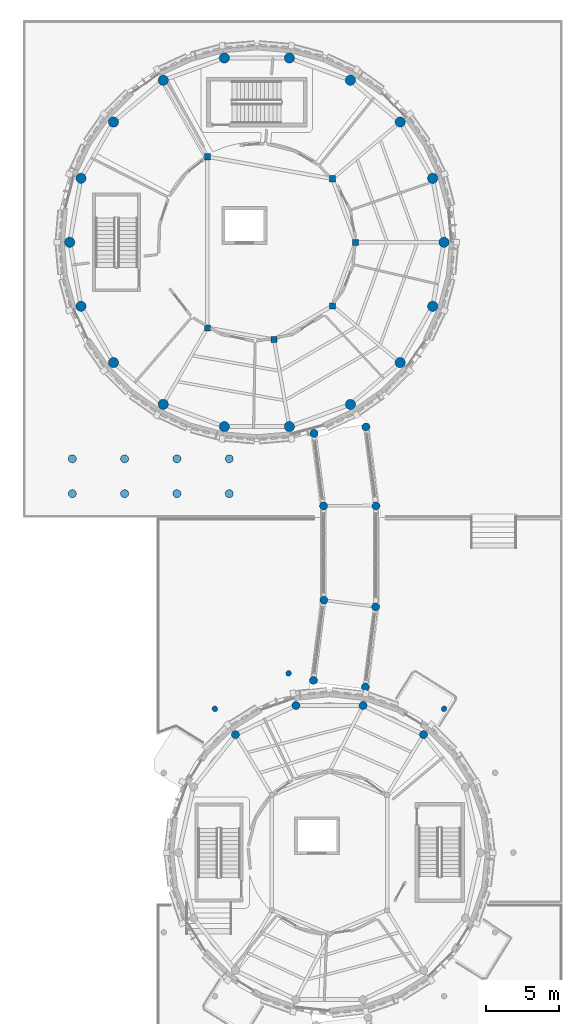
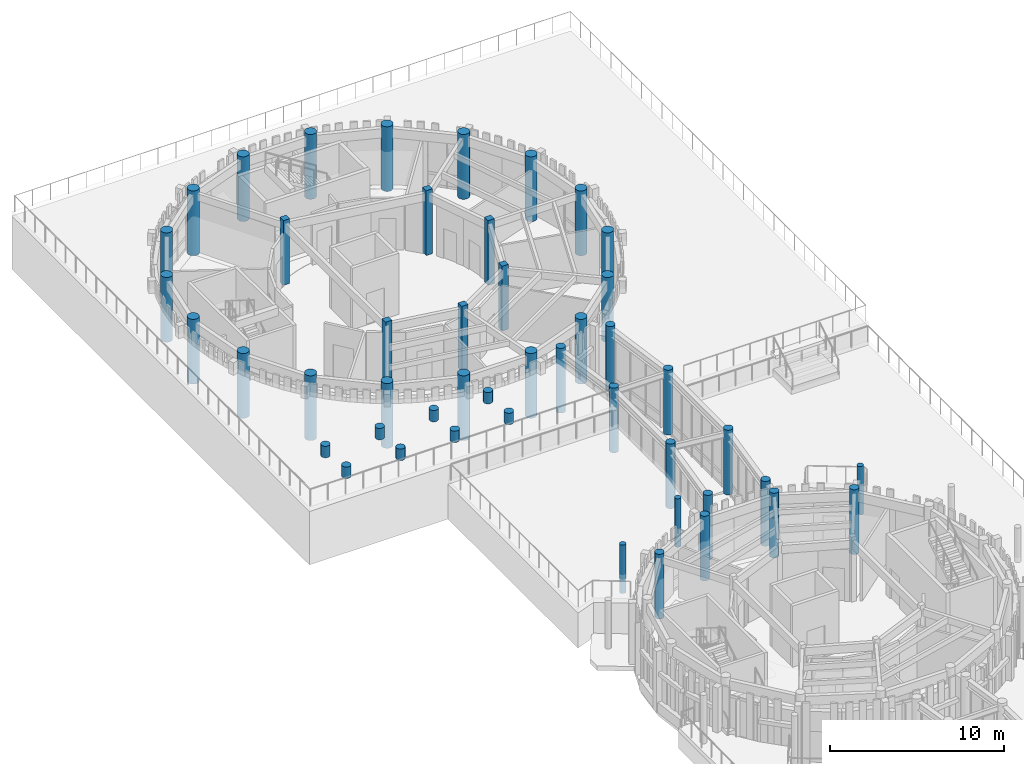
# One storey, part 3 of 94: 47 columns.
"""IFC4 building model written with IfcOpenShell, lengths in metres."""

from ifc_helpers import new_model, si_unit, direction, frame, origin, origin_2d, place, context, subcontext, project, spatial, rectangle, circle, extrude, material, material_profile, profile_set, type_object, element, save


model = new_model("IFC4")

# Units and contexts
model_context = context("Model", 3, precision=1e-05, world=origin(), true_north=direction((0.0, 1.0)))
body_context = subcontext(model_context, "Body", "Model", "MODEL_VIEW")
ifc_project = project(units=[si_unit("LENGTHUNIT", "METRE"), si_unit("AREAUNIT", "SQUARE_METRE"), si_unit("VOLUMEUNIT", "CUBIC_METRE"), si_unit("PLANEANGLEUNIT", "RADIAN"), si_unit("MASSUNIT", "GRAM", prefix="KILO")], contexts=[model_context])

# Site, building, storey
site_placement = place(None, origin())
site = spatial("IfcSite", under=ifc_project, at=site_placement, CompositionType="ELEMENT")
building_placement = place(site_placement, origin())
building = spatial("IfcBuilding", under=site, at=building_placement, Name="Aldenvaro Health Centre", CompositionType="ELEMENT")
storey_placement = place(building_placement, origin())
storey = spatial("IfcBuildingStorey", under=building, at=storey_placement, Name="L00", CompositionType="ELEMENT", Elevation=0.0)

# Columns
ifc_material_1 = material(Name="Glulam GL28h", Category="wood")
ifc_material_profile_1 = material_profile(ifc_material_1, rectangle(XDim=0.419921875, YDim=0.419921875, at=origin_2d()), Name="GL 420x420", Category="wood")
ifc_profile_set_1 = profile_set([ifc_material_profile_1], Name="Glulam GL28h")
column_type_1 = type_object("IfcColumnType", Name="COL-GL-420", PredefinedType="COLUMN", material=ifc_profile_set_1)
for number, where, z_axis, x_axis, name in (
    (1, (25.300048828125, 99.5, 0.0), (0.0, 0.0, 1.0), (1.0, 0.0, 0.0), "D4 L00 column IN-01"),
    (2, (23.708984375, 103.87109375, 0.0), (0.0, 0.0, 1.0), (1.0, 0.0, 0.0), "D4 L00 column IN-02"),
    (3, (15.10009765625, 105.388916015625, 0.0), (0.0, 0.0, 1.0), (1.0, 0.0, 0.0), "D4 L00 column IN-03"),
    (4, (15.10009765625, 93.611083984375, 0.0), (0.0, 0.0, 1.0), (1.0, 0.0, 0.0), "D4 L00 column IN-04"),
    (5, (19.680908203125, 92.802978515625, 0.0), (0.0, 0.0, 1.0), (1.0, 0.0, 0.0), "D4 L00 column IN-05"),
    (6, (23.708984375, 95.12890625, 0.0), (0.0, 0.0, 1.0), (1.0, 0.0, 0.0), "D4 L00 column IN-06"),
):
    element("IfcColumn", number, at=place(storey_placement, frame(where, z_axis=z_axis, x_axis=x_axis)), inside=storey, type_object=column_type_1, Name=name, PredefinedType="COLUMN", context=body_context, shape_type="SweptSolid", body=[
        extrude(rectangle(XDim=0.419921875, YDim=0.419921875, at=origin_2d()), origin(), (0.0, 0.0, 1.0), 4.550048828125),
    ])
ifc_material_profile_2 = material_profile(ifc_material_1, circle(Radius=0.18994140625, at=origin_2d()), Name="GL D380", Category="wood")
ifc_profile_set_2 = profile_set([ifc_material_profile_2], Name="Glulam GL28h")
column_type_2 = type_object("IfcColumnType", Name="COL-GL-D380", PredefinedType="PILASTER", material=ifc_profile_set_2)
for number, where, z_axis, x_axis, name in (
    (7, (31.386962890625, 67.389892578125, 1.14990234375), (0.0, 0.0, 1.0), (1.0, 0.0, 0.0), "Garden Pavilion Peristyle Lower Column 03"),
    (8, (20.68505859375, 69.8330078125, 1.14990234375), (0.0, 0.0, 1.0), (1.0, 0.0, 0.0), "Garden Pavilion Peristyle Lower Column 05"),
    (9, (15.613037109375, 67.389892578125, 1.14990234375), (0.0, 0.0, 1.0), (1.0, 0.0, 0.0), "Garden Pavilion Peristyle Lower Column 06"),
):
    element("IfcColumn", number, at=place(storey_placement, frame(where, z_axis=z_axis, x_axis=x_axis)), inside=storey, type_object=column_type_2, Name=name, PredefinedType="PILASTER", context=body_context, shape_type="SweptSolid", body=[
        extrude(circle(Radius=0.18994140625, at=origin_2d()), origin(), (0.0, 0.0, 1.0), 3.400146484375),
    ])
ifc_material_2 = material(Name="Concrete f'c 40 MPa", Category="concrete")
ifc_material_profile_3 = material_profile(ifc_material_2, circle(Radius=0.27490234375, at=origin_2d()), Name="RC D550", Category="concrete")
ifc_profile_set_3 = profile_set([ifc_material_profile_3], Name="Concrete f'c 40 MPa")
column_type_3 = type_object("IfcColumnType", Name="COL-RC-D550", PredefinedType="PILASTER", material=ifc_profile_set_3)
for number, where, z_axis, x_axis, name in (
    (10, (29.971923828125, 65.614990234375, 0.0), (0.0, 0.0, 1.0), (1.0, 0.0, 0.0), "D3 L00 column OUT-03"),
    (11, (25.81005859375, 67.6201171875, 0.0), (0.0, 0.0, 1.0), (1.0, 0.0, 0.0), "D3 L00 column OUT-04"),
    (12, (21.18994140625, 67.6201171875, 0.0), (0.0, 0.0, 1.0), (1.0, 0.0, 0.0), "D3 L00 column OUT-05"),
    (13, (17.028076171875, 65.614990234375, 0.0), (0.0, 0.0, 1.0), (1.0, 0.0, 0.0), "D3 L00 column OUT-06"),
    (14, (22.39599609375, 69.346923828125, 0.0), (0.0, 0.0, 1.0), (1.0, 0.0, 0.0), "West North Curved Garden Walkway Arc 1 L00 column 1.1"),
    (15, (25.966064453125, 68.886962890625, 0.0), (0.0, 0.0, 1.0), (1.0, 0.0, 0.0), "West North Curved Garden Walkway Arc 1 L00 column 1.2"),
    (16, (23.10791015625, 74.873046875, 0.0), (0.0, 0.0, 1.0), (1.0, 0.0, 0.0), "West North Curved Garden Walkway Arc 1 L00 column 2.1"),
    (17, (26.677978515625, 74.4130859375, 0.0), (0.0, 0.0, 1.0), (1.0, 0.0, 0.0), "West North Curved Garden Walkway Arc 1 L00 column 2.2"),
    (18, (23.093017578125, 81.35693359375, 0.0), (0.0, 0.0, 1.0), (1.0, 0.0, 0.0), "West North Curved Garden Walkway Arc 2 L00 column 2.1"),
    (19, (26.693115234375, 81.35693359375, 0.0), (0.0, 0.0, 1.0), (1.0, 0.0, 0.0), "West North Curved Garden Walkway Arc 2 L00 column 2.2"),
    (20, (22.43603515625, 86.342041015625, 0.0), (0.0, 0.0, 1.0), (1.0, 0.0, 0.0), "West North Curved Garden Walkway Arc 3 L00 column 2.1"),
    (21, (26.006103515625, 86.802001953125, 0.0), (0.0, 0.0, 1.0), (1.0, 0.0, 0.0), "West North Curved Garden Walkway Arc 3 L00 column 2.2"),
):
    element("IfcColumn", number, at=place(storey_placement, frame(where, z_axis=z_axis, x_axis=x_axis)), inside=storey, type_object=column_type_3, Name=name, PredefinedType="PILASTER", context=body_context, shape_type="SweptSolid", body=[
        extrude(circle(Radius=0.27490234375, at=origin_2d()), origin(), (0.0, 0.0, 1.0), 4.550048828125),
    ])
for number, where, z_axis, x_axis, name in (
    (22, (5.800048828125, 82.199951171875, 3.75), (0.0, 0.0, 1.0), (1.0, 0.0, 0.0), "Bastion Tetrastyle Portico N4 Plinth Column 1.1"),
    (23, (5.800048828125, 84.60009765625, 3.75), (0.0, 0.0, 1.0), (1.0, 0.0, 0.0), "Bastion Tetrastyle Portico N4 Plinth Column 1.2"),
    (24, (9.39990234375, 82.199951171875, 3.75), (0.0, 0.0, 1.0), (1.0, 0.0, 0.0), "Bastion Tetrastyle Portico N4 Plinth Column 2.1"),
    (25, (9.39990234375, 84.60009765625, 3.75), (0.0, 0.0, 1.0), (1.0, 0.0, 0.0), "Bastion Tetrastyle Portico N4 Plinth Column 2.2"),
    (26, (13.0, 82.199951171875, 3.75), (0.0, 0.0, 1.0), (1.0, 0.0, 0.0), "Bastion Tetrastyle Portico N4 Plinth Column 3.1"),
    (27, (13.0, 84.60009765625, 3.75), (0.0, 0.0, 1.0), (1.0, 0.0, 0.0), "Bastion Tetrastyle Portico N4 Plinth Column 3.2"),
    (28, (16.60009765625, 82.199951171875, 3.75), (0.0, 0.0, 1.0), (1.0, 0.0, 0.0), "Bastion Tetrastyle Portico N4 Plinth Column 4.1"),
    (29, (16.60009765625, 84.60009765625, 3.75), (0.0, 0.0, 1.0), (1.0, 0.0, 0.0), "Bastion Tetrastyle Portico N4 Plinth Column 4.2"),
):
    element("IfcColumn", number, at=place(storey_placement, frame(where, z_axis=z_axis, x_axis=x_axis)), inside=storey, type_object=column_type_3, Name=name, PredefinedType="PILASTER", context=body_context, shape_type="SweptSolid", body=[
        extrude(circle(Radius=0.27490234375, at=origin_2d()), origin(), (0.0, 0.0, 1.0), 0.800048828125),
    ])
ifc_material_profile_4 = material_profile(ifc_material_2, circle(Radius=0.35009765625, at=origin_2d()), Name="RC D700", Category="concrete")
ifc_profile_set_4 = profile_set([ifc_material_profile_4], Name="Concrete f'c 40 MPa")
column_type_4 = type_object("IfcColumnType", Name="COL-RC-D700", PredefinedType="COLUMN", material=ifc_profile_set_4)
for number, where, z_axis, x_axis, name in (
    (30, (31.3798828125, 99.5, 0.0), (0.0, 0.0, 1.0), (1.0, 0.0, 0.0), "D4 L00 column OUT-01"),
    (31, (30.60302734375, 103.905029296875, 0.0), (0.0, 0.0, 1.0), (1.0, 0.0, 0.0), "D4 L00 column OUT-02"),
    (32, (28.366943359375, 107.779052734375, 0.0), (0.0, 0.0, 1.0), (1.0, 0.0, 0.0), "D4 L00 column OUT-03"),
    (33, (24.93994140625, 110.654052734375, 0.0), (0.0, 0.0, 1.0), (1.0, 0.0, 0.0), "D4 L00 column OUT-04"),
    (34, (20.737060546875, 112.18408203125, 0.0), (0.0, 0.0, 1.0), (1.0, 0.0, 0.0), "D4 L00 column OUT-05"),
    (35, (16.262939453125, 112.18408203125, 0.0), (0.0, 0.0, 1.0), (1.0, 0.0, 0.0), "D4 L00 column OUT-06"),
    (36, (12.06005859375, 110.654052734375, 0.0), (0.0, 0.0, 1.0), (1.0, 0.0, 0.0), "D4 L00 column OUT-07"),
    (37, (8.633056640625, 107.779052734375, 0.0), (0.0, 0.0, 1.0), (1.0, 0.0, 0.0), "D4 L00 column OUT-08"),
    (38, (6.39697265625, 103.905029296875, 0.0), (0.0, 0.0, 1.0), (1.0, 0.0, 0.0), "D4 L00 column OUT-09"),
    (39, (5.6201171875, 99.5, 0.0), (0.0, 0.0, 1.0), (1.0, 0.0, 0.0), "D4 L00 column OUT-10"),
    (40, (6.39697265625, 95.094970703125, 0.0), (0.0, 0.0, 1.0), (1.0, 0.0, 0.0), "D4 L00 column OUT-11"),
    (41, (8.633056640625, 91.220947265625, 0.0), (0.0, 0.0, 1.0), (1.0, 0.0, 0.0), "D4 L00 column OUT-12"),
    (42, (12.06005859375, 88.345947265625, 0.0), (0.0, 0.0, 1.0), (1.0, 0.0, 0.0), "D4 L00 column OUT-13"),
    (43, (16.262939453125, 86.81591796875, 0.0), (0.0, 0.0, 1.0), (1.0, 0.0, 0.0), "D4 L00 column OUT-14"),
    (44, (20.737060546875, 86.81591796875, 0.0), (0.0, 0.0, 1.0), (1.0, 0.0, 0.0), "D4 L00 column OUT-15"),
    (45, (24.93994140625, 88.345947265625, 0.0), (0.0, 0.0, 1.0), (1.0, 0.0, 0.0), "D4 L00 column OUT-16"),
    (46, (28.366943359375, 91.220947265625, 0.0), (0.0, 0.0, 1.0), (1.0, 0.0, 0.0), "D4 L00 column OUT-17"),
    (47, (30.60302734375, 95.094970703125, 0.0), (0.0, 0.0, 1.0), (1.0, 0.0, 0.0), "D4 L00 column OUT-18"),
):
    element("IfcColumn", number, at=place(storey_placement, frame(where, z_axis=z_axis, x_axis=x_axis)), inside=storey, type_object=column_type_4, Name=name, PredefinedType="COLUMN", context=body_context, shape_type="SweptSolid", body=[
        extrude(circle(Radius=0.35009765625, at=origin_2d()), origin(), (0.0, 0.0, 1.0), 4.550048828125),
    ])

save(model, "model.ifc")
